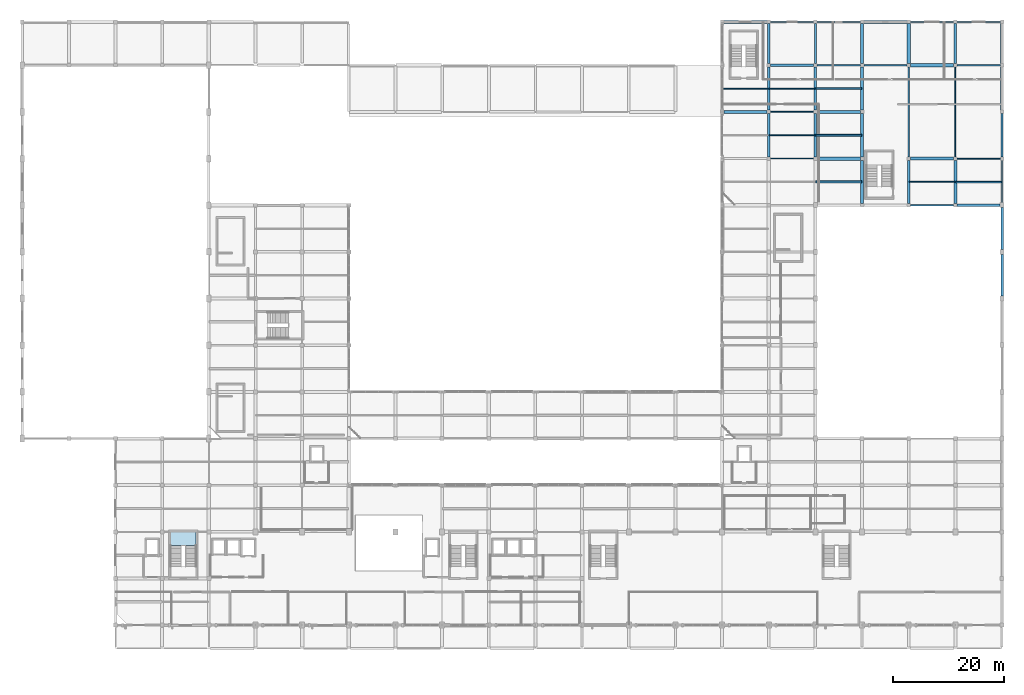
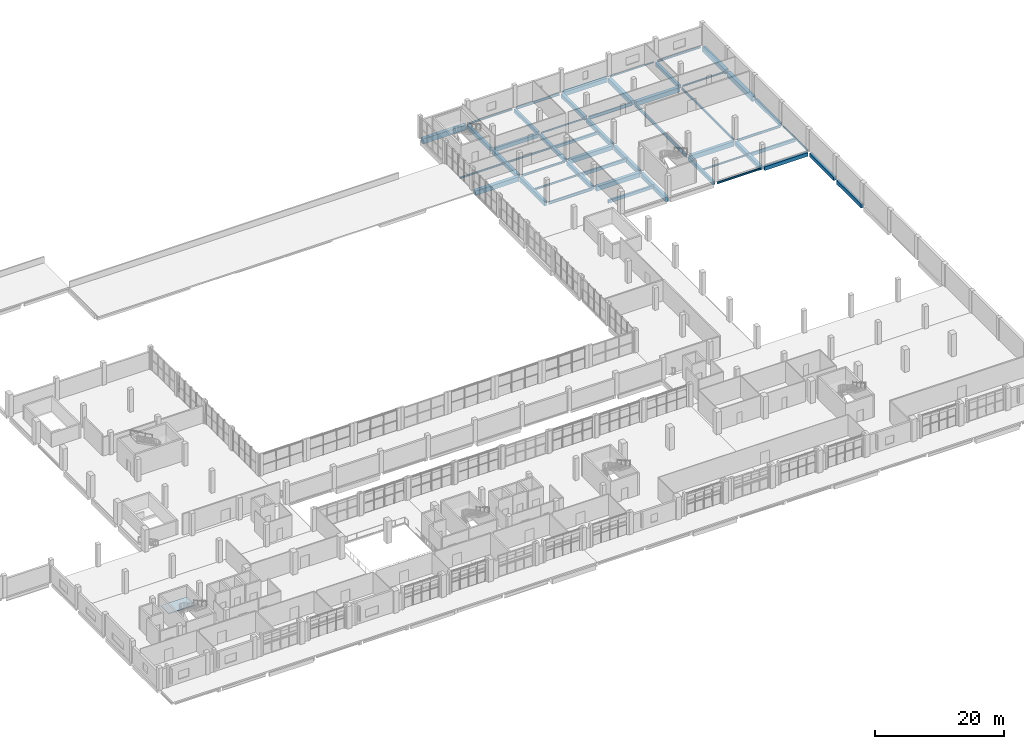
# One storey, part 39 of 59: 50 beams, 1 slab, 1 element without a shape of its own.
"""IFC4 building model written with IfcOpenShell, lengths in metres."""

from ifc_helpers import new_model, si_unit, derived_unit, direction, frame, origin, origin_2d, place, context, subcontext, project, spatial, polyline, rectangle, hollow_rectangle, i_section, outline, extrude, material, layer, layer_set, material_profile, profile_set, type_object, element, aggregate, save


model = new_model("IFC4")

# Units and contexts
model_context = context("Model", 3, precision=1e-05, world=origin(), true_north=direction((0.0, 1.0)))
body_context = subcontext(model_context, "Body", "Model", "MODEL_VIEW")
ifc_project = project(units=[si_unit("LENGTHUNIT", "METRE"), si_unit("AREAUNIT", "SQUARE_METRE"), si_unit("VOLUMEUNIT", "CUBIC_METRE"), si_unit("PLANEANGLEUNIT", "RADIAN"), si_unit("MASSUNIT", "GRAM", prefix="KILO"), derived_unit("THERMALTRANSMITTANCEUNIT", [(si_unit("POWERUNIT", "WATT"), 1), (si_unit("LENGTHUNIT", "METRE"), -2), (si_unit("THERMODYNAMICTEMPERATUREUNIT", "KELVIN"), -1)])], contexts=[model_context])

# Site, building, storey
site_placement = place(None, origin())
site = spatial("IfcSite", under=ifc_project, at=site_placement, CompositionType="ELEMENT")
building_placement = place(site_placement, origin())
building = spatial("IfcBuilding", under=site, at=building_placement, Name="Barrovel Congress Hotel", CompositionType="ELEMENT")
storey_placement = place(building_placement, frame((0.0, 0.0, 9.89990234375)))
storey = spatial("IfcBuildingStorey", under=building, at=storey_placement, Name="L02", CompositionType="ELEMENT", Elevation=9.89990234375)

# Beams
ifc_material_1 = material(Name="Concrete C40", Category="concrete")
ifc_material_profile_1 = material_profile(ifc_material_1, rectangle(XDim=0.300048828125, YDim=0.5, at=origin_2d()), Name="RC300x500")
ifc_profile_set_1 = profile_set([ifc_material_profile_1], Name="Concrete C40")
beam_type_1 = type_object("IfcBeamType", Name="BM-RC300x500", PredefinedType="JOIST", material=ifc_profile_set_1)
beam_1_placement = place(storey_placement, frame((142.8798828125, 100.800048828125, -0.510009765625), z_axis=(1.0, 0.0, 0.0), x_axis=(0.0, 1.0, 0.0)))
element("IfcBeam", 1, at=beam_1_placement, inside=storey, type_object=beam_type_1, Name="JST:L02:142.8:100.8", PredefinedType="JOIST", context=body_context, shape_type="SweptSolid", body=[
    extrude(rectangle(XDim=0.300048828125, YDim=0.5, at=origin_2d()), origin(), (0.0, 0.0, 1.0), 8.240234375),
])
ifc_material_profile_2 = material_profile(ifc_material_1, rectangle(XDim=0.300048828125, YDim=0.60009765625, at=origin_2d()), Name="RC300x600")
ifc_profile_set_2 = profile_set([ifc_material_profile_2], Name="Concrete C40")
beam_type_2 = type_object("IfcBeamType", Name="BM-RC300x600", PredefinedType="JOIST", material=ifc_profile_set_2)
beam_2_placement = place(storey_placement, frame((142.8798828125, 92.39990234375, -0.559814453125), z_axis=(1.0, 0.0, 0.0), x_axis=(0.0, 1.0, 0.0)))
element("IfcBeam", 2, at=beam_2_placement, inside=storey, type_object=beam_type_2, Name="JST:L02:142.8:92.4", PredefinedType="JOIST", context=body_context, shape_type="SweptSolid", body=[
    extrude(rectangle(XDim=0.300048828125, YDim=0.60009765625, at=origin_2d()), origin(), (0.0, 0.0, 1.0), 8.240234375),
])
beam_3_placement = place(storey_placement, frame((168.080078125, 84.0, -0.559814453125), z_axis=(1.0, 0.0, 0.0), x_axis=(0.0, 1.0, 0.0)))
element("IfcBeam", 3, at=beam_3_placement, inside=storey, type_object=beam_type_2, Name="JST:L02:168.0:84.0", PredefinedType="JOIST", context=body_context, shape_type="SweptSolid", body=[
    extrude(rectangle(XDim=0.300048828125, YDim=0.60009765625, at=origin_2d()), origin(), (0.0, 0.0, 1.0), 8.239990234375),
])
ifc_material_profile_3 = material_profile(ifc_material_1, rectangle(XDim=0.35009765625, YDim=0.550048828125, at=origin_2d()), Name="RC350x550")
ifc_profile_set_3 = profile_set([ifc_material_profile_3], Name="Concrete C40")
beam_type_3 = type_object("IfcBeamType", Name="BM-RC350x550", PredefinedType="JOIST", material=ifc_profile_set_3)
beam_4_placement = place(storey_placement, frame((142.8798828125, 84.0, -0.534912109375), z_axis=(1.0, 0.0, 0.0), x_axis=(0.0, 1.0, 0.0)))
element("IfcBeam", 4, at=beam_4_placement, inside=storey, type_object=beam_type_3, Name="JST:L02:142.8:84.0", PredefinedType="JOIST", context=body_context, shape_type="SweptSolid", body=[
    extrude(rectangle(XDim=0.35009765625, YDim=0.550048828125, at=origin_2d()), origin(), (0.0, 0.0, 1.0), 8.240234375),
])
ifc_material_profile_4 = material_profile(ifc_material_1, rectangle(XDim=0.39990234375, YDim=0.60009765625, at=origin_2d()), Name="RC400x600")
ifc_profile_set_4 = profile_set([ifc_material_profile_4], Name="Concrete C40")
beam_type_4 = type_object("IfcBeamType", Name="BM-RC400x600", PredefinedType="BEAM", material=ifc_profile_set_4)
for number, where, z_axis, x_axis, name in (
    (5, (159.60009765625, 80.125, -0.559814453125), (0.0, 1.0, 0.0), (-1.0, 0.0, 0.0), "BMY:L02:159.6:79.8-88.2"),
    (6, (176.39990234375, 88.52490234375, -0.559814453125), (0.0, 1.0, 0.0), (-1.0, 0.0, 0.0), "BMY:L02:176.4:88.2-96.6"),
):
    element("IfcBeam", number, at=place(storey_placement, frame(where, z_axis=z_axis, x_axis=x_axis)), inside=storey, type_object=beam_type_4, Name=name, PredefinedType="BEAM", context=body_context, shape_type="SweptSolid", body=[
        extrude(rectangle(XDim=0.39990234375, YDim=0.60009765625, at=origin_2d()), origin(), (0.0, 0.0, 1.0), 7.75),
    ])
ifc_material_profile_5 = material_profile(ifc_material_1, rectangle(XDim=0.39990234375, YDim=0.699951171875, at=origin_2d()), Name="RC400x700")
ifc_profile_set_5 = profile_set([ifc_material_profile_5], Name="Concrete C40")
beam_type_5 = type_object("IfcBeamType", Name="BM-RC400x700", PredefinedType="BEAM", material=ifc_profile_set_5)
beam_5_placement = place(storey_placement, frame((168.324951171875, 79.800048828125, -0.60986328125), z_axis=(1.0, 0.0, 0.0), x_axis=(0.0, 1.0, 0.0)))
element("IfcBeam", 7, at=beam_5_placement, inside=storey, type_object=beam_type_5, Name="BMX:L02:79.8:168.0-176.4", PredefinedType="BEAM", context=body_context, shape_type="SweptSolid", body=[
    extrude(rectangle(XDim=0.39990234375, YDim=0.699951171875, at=origin_2d()), origin(), (0.0, 0.0, 1.0), 7.72509765625),
])
beam_6_placement = place(storey_placement, frame((134.72509765625, 105.0, -0.60986328125), z_axis=(1.0, 0.0, 0.0), x_axis=(0.0, 1.0, 0.0)))
element("IfcBeam", 8, at=beam_6_placement, inside=storey, type_object=beam_type_5, Name="BMX:L02:105.0:134.4-142.8", PredefinedType="BEAM", context=body_context, shape_type="SweptSolid", body=[
    extrude(rectangle(XDim=0.39990234375, YDim=0.699951171875, at=origin_2d()), origin(), (0.0, 0.0, 1.0), 7.75),
])
beam_7_placement = place(storey_placement, frame((142.800048828125, 105.324951171875, -0.60986328125), z_axis=(0.0, 1.0, 0.0), x_axis=(-1.0, 0.0, 0.0)))
element("IfcBeam", 9, at=beam_7_placement, inside=storey, type_object=beam_type_5, Name="BMY:L02:142.8:105.0-112.8", PredefinedType="BEAM", context=body_context, shape_type="SweptSolid", body=[
    extrude(rectangle(XDim=0.39990234375, YDim=0.699951171875, at=origin_2d()), origin(), (0.0, 0.0, 1.0), 7.150146484375),
])
ifc_material_profile_6 = material_profile(ifc_material_1, rectangle(XDim=0.449951171875, YDim=0.64990234375, at=origin_2d()), Name="RC450x650")
ifc_profile_set_6 = profile_set([ifc_material_profile_6], Name="Concrete C40")
beam_type_6 = type_object("IfcBeamType", Name="BM-RC450x650", PredefinedType="BEAM", material=ifc_profile_set_6)
beam_8_placement = place(storey_placement, frame((142.800048828125, 96.925048828125, -0.5849609375), z_axis=(0.0, 1.0, 0.0), x_axis=(-1.0, 0.0, 0.0)))
element("IfcBeam", 10, at=beam_8_placement, inside=storey, type_object=beam_type_6, Name="BMY:L02:142.8:96.6-105.0", PredefinedType="BEAM", context=body_context, shape_type="SweptSolid", body=[
    extrude(rectangle(XDim=0.449951171875, YDim=0.64990234375, at=origin_2d()), origin(), (0.0, 0.0, 1.0), 7.75),
])
beam_9_placement = place(storey_placement, frame((168.0, 105.324951171875, -0.5849609375), z_axis=(0.0, 1.0, 0.0), x_axis=(-1.0, 0.0, 0.0)))
element("IfcBeam", 11, at=beam_9_placement, inside=storey, type_object=beam_type_6, Name="BMY:L02:168.0:105.0-112.8", PredefinedType="BEAM", context=body_context, shape_type="SweptSolid", body=[
    extrude(rectangle(XDim=0.449951171875, YDim=0.64990234375, at=origin_2d()), origin(), (0.0, 0.0, 1.0), 7.150146484375),
])
beam_10_placement = place(storey_placement, frame((176.39990234375, 71.85009765625, -0.5849609375), z_axis=(0.0, 1.0, 0.0), x_axis=(-1.0, 0.0, 0.0)))
element("IfcBeam", 12, at=beam_10_placement, inside=storey, type_object=beam_type_6, Name="BMY:L02:176.4:71.4-79.8", PredefinedType="BEAM", context=body_context, shape_type="SweptSolid", body=[
    extrude(rectangle(XDim=0.449951171875, YDim=0.64990234375, at=origin_2d()), origin(), (0.0, 0.0, 1.0), 7.5),
])
ifc_material_profile_7 = material_profile(ifc_material_1, rectangle(XDim=0.449951171875, YDim=0.75, at=origin_2d()), Name="RC450x750")
ifc_profile_set_7 = profile_set([ifc_material_profile_7], Name="Concrete C40")
beam_type_7 = type_object("IfcBeamType", Name="BM-RC450x750", PredefinedType="BEAM", material=ifc_profile_set_7)
beam_11_placement = place(storey_placement, frame((134.39990234375, 105.324951171875, -0.635009765625), z_axis=(0.0, 1.0, 0.0), x_axis=(-1.0, 0.0, 0.0)))
element("IfcBeam", 13, at=beam_11_placement, inside=storey, type_object=beam_type_7, Name="BMY:L02:134.4:105.0-112.8", PredefinedType="BEAM", context=body_context, shape_type="SweptSolid", body=[
    extrude(rectangle(XDim=0.449951171875, YDim=0.75, at=origin_2d()), origin(), (0.0, 0.0, 1.0), 7.150146484375),
])
beam_12_placement = place(storey_placement, frame((142.800048828125, 88.52490234375, -0.635009765625), z_axis=(0.0, 1.0, 0.0), x_axis=(-1.0, 0.0, 0.0)))
element("IfcBeam", 14, at=beam_12_placement, inside=storey, type_object=beam_type_7, Name="BMY:L02:142.8:88.2-96.6", PredefinedType="BEAM", context=body_context, shape_type="SweptSolid", body=[
    extrude(rectangle(XDim=0.449951171875, YDim=0.75, at=origin_2d()), origin(), (0.0, 0.0, 1.0), 7.75),
])
beam_13_placement = place(storey_placement, frame((176.39990234375, 63.449951171875, -0.635009765625), z_axis=(0.0, 1.0, 0.0), x_axis=(-1.0, 0.0, 0.0)))
element("IfcBeam", 15, at=beam_13_placement, inside=storey, type_object=beam_type_7, Name="BMY:L02:176.4:63.0-71.4", PredefinedType="BEAM", context=body_context, shape_type="SweptSolid", body=[
    extrude(rectangle(XDim=0.449951171875, YDim=0.75, at=origin_2d()), origin(), (0.0, 0.0, 1.0), 7.5),
])
ifc_material_profile_8 = material_profile(ifc_material_1, rectangle(XDim=0.5, YDim=0.75, at=origin_2d()), Name="RC500x750")
ifc_profile_set_8 = profile_set([ifc_material_profile_8], Name="Concrete C40")
beam_type_8 = type_object("IfcBeamType", Name="BM-RC500x750", PredefinedType="BEAM", material=ifc_profile_set_8)
beam_14_placement = place(storey_placement, frame((134.39990234375, 96.925048828125, -0.635009765625), z_axis=(0.0, 1.0, 0.0), x_axis=(-1.0, 0.0, 0.0)))
element("IfcBeam", 16, at=beam_14_placement, inside=storey, type_object=beam_type_8, Name="BMY:L02:134.4:96.6-105.0", PredefinedType="BEAM", context=body_context, shape_type="SweptSolid", body=[
    extrude(rectangle(XDim=0.5, YDim=0.75, at=origin_2d()), origin(), (0.0, 0.0, 1.0), 7.75),
])
beam_15_placement = place(storey_placement, frame((151.199951171875, 105.324951171875, -0.635009765625), z_axis=(0.0, 1.0, 0.0), x_axis=(-1.0, 0.0, 0.0)))
element("IfcBeam", 17, at=beam_15_placement, inside=storey, type_object=beam_type_8, Name="BMY:L02:151.2:105.0-112.8", PredefinedType="BEAM", context=body_context, shape_type="SweptSolid", body=[
    extrude(rectangle(XDim=0.5, YDim=0.75, at=origin_2d()), origin(), (0.0, 0.0, 1.0), 7.150146484375),
])
beam_16_placement = place(storey_placement, frame((168.0, 80.125, -0.635009765625), z_axis=(0.0, 1.0, 0.0), x_axis=(-1.0, 0.0, 0.0)))
element("IfcBeam", 18, at=beam_16_placement, inside=storey, type_object=beam_type_8, Name="BMY:L02:168.0:79.8-88.2", PredefinedType="BEAM", context=body_context, shape_type="SweptSolid", body=[
    extrude(rectangle(XDim=0.5, YDim=0.75, at=origin_2d()), origin(), (0.0, 0.0, 1.0), 7.75),
])
ifc_material_profile_9 = material_profile(ifc_material_1, rectangle(XDim=0.5, YDim=0.85009765625, at=origin_2d()), Name="RC500x850")
ifc_profile_set_9 = profile_set([ifc_material_profile_9], Name="Concrete C40")
beam_type_9 = type_object("IfcBeamType", Name="BM-RC500x850", PredefinedType="BEAM", material=ifc_profile_set_9)
for number, where, z_axis, x_axis, name in (
    (19, (134.39990234375, 88.52490234375, -0.684814453125), (0.0, 1.0, 0.0), (-1.0, 0.0, 0.0), "BMY:L02:134.4:88.2-96.6"),
    (20, (151.199951171875, 96.925048828125, -0.684814453125), (0.0, 1.0, 0.0), (-1.0, 0.0, 0.0), "BMY:L02:151.2:96.6-105.0"),
):
    element("IfcBeam", number, at=place(storey_placement, frame(where, z_axis=z_axis, x_axis=x_axis)), inside=storey, type_object=beam_type_9, Name=name, PredefinedType="BEAM", context=body_context, shape_type="SweptSolid", body=[
        extrude(rectangle(XDim=0.5, YDim=0.85009765625, at=origin_2d()), origin(), (0.0, 0.0, 1.0), 7.75),
    ])
ifc_material_profile_10 = material_profile(ifc_material_1, rectangle(XDim=0.550048828125, YDim=0.800048828125, at=origin_2d()), Name="RC550x800")
ifc_profile_set_10 = profile_set([ifc_material_profile_10], Name="Concrete C40")
beam_type_10 = type_object("IfcBeamType", Name="BM-RC550x800", PredefinedType="BEAM", material=ifc_profile_set_10)
for number, where, z_axis, x_axis, name in (
    (21, (143.125, 96.60009765625, -0.659912109375), (1.0, 0.0, 0.0), (0.0, 1.0, 0.0), "BMX:L02:96.6:142.8-151.2"),
    (22, (151.52490234375, 112.800048828125, -0.659912109375), (1.0, 0.0, 0.0), (0.0, 1.0, 0.0), "BMX:L02:112.8:151.2-159.6"),
    (23, (151.199951171875, 88.52490234375, -0.659912109375), (0.0, 1.0, 0.0), (-1.0, 0.0, 0.0), "BMY:L02:151.2:88.2-96.6"),
):
    element("IfcBeam", number, at=place(storey_placement, frame(where, z_axis=z_axis, x_axis=x_axis)), inside=storey, type_object=beam_type_10, Name=name, PredefinedType="BEAM", context=body_context, shape_type="SweptSolid", body=[
        extrude(rectangle(XDim=0.550048828125, YDim=0.800048828125, at=origin_2d()), origin(), (0.0, 0.0, 1.0), 7.75),
    ])
ifc_material_profile_11 = material_profile(ifc_material_1, rectangle(XDim=0.550048828125, YDim=0.89990234375, at=origin_2d()), Name="RC550x900")
ifc_profile_set_11 = profile_set([ifc_material_profile_11], Name="Concrete C40")
beam_type_11 = type_object("IfcBeamType", Name="BM-RC550x900", PredefinedType="BEAM", material=ifc_profile_set_11)
for number, where, z_axis, x_axis, name in (
    (24, (159.925048828125, 88.199951171875, -0.7099609375), (1.0, 0.0, 0.0), (0.0, 1.0, 0.0), "BMX:L02:88.2:159.6-168.0"),
    (25, (151.199951171875, 80.125, -0.7099609375), (0.0, 1.0, 0.0), (-1.0, 0.0, 0.0), "BMY:L02:151.2:79.8-88.2"),
):
    element("IfcBeam", number, at=place(storey_placement, frame(where, z_axis=z_axis, x_axis=x_axis)), inside=storey, type_object=beam_type_11, Name=name, PredefinedType="BEAM", context=body_context, shape_type="SweptSolid", body=[
        extrude(rectangle(XDim=0.550048828125, YDim=0.89990234375, at=origin_2d()), origin(), (0.0, 0.0, 1.0), 7.75),
    ])
ifc_material_profile_12 = material_profile(ifc_material_1, rectangle(XDim=0.60009765625, YDim=0.85009765625, at=origin_2d()), Name="RC600x850")
ifc_profile_set_12 = profile_set([ifc_material_profile_12], Name="Concrete C40")
beam_type_12 = type_object("IfcBeamType", Name="BM-RC600x850", PredefinedType="BEAM", material=ifc_profile_set_12)
for number, where, z_axis, x_axis, name in (
    (26, (143.125, 88.199951171875, -0.684814453125), (1.0, 0.0, 0.0), (0.0, 1.0, 0.0), "BMX:L02:88.2:142.8-151.2"),
    (27, (126.324951171875, 96.60009765625, -0.684814453125), (1.0, 0.0, 0.0), (0.0, 1.0, 0.0), "BMX:L02:96.6:126.0-134.4"),
    (28, (159.925048828125, 105.0, -0.684814453125), (1.0, 0.0, 0.0), (0.0, 1.0, 0.0), "BMX:L02:105.0:159.6-168.0"),
):
    element("IfcBeam", number, at=place(storey_placement, frame(where, z_axis=z_axis, x_axis=x_axis)), inside=storey, type_object=beam_type_12, Name=name, PredefinedType="BEAM", context=body_context, shape_type="SweptSolid", body=[
        extrude(rectangle(XDim=0.60009765625, YDim=0.85009765625, at=origin_2d()), origin(), (0.0, 0.0, 1.0), 7.75),
    ])
for number, where, z_axis, x_axis, name in (
    (29, (159.60009765625, 105.324951171875, -0.684814453125), (0.0, 1.0, 0.0), (-1.0, 0.0, 0.0), "BMY:L02:159.6:105.0-112.8"),
    (30, (176.39990234375, 105.324951171875, -0.684814453125), (0.0, 1.0, 0.0), (-1.0, 0.0, 0.0), "BMY:L02:176.4:105.0-112.8"),
):
    element("IfcBeam", number, at=place(storey_placement, frame(where, z_axis=z_axis, x_axis=x_axis)), inside=storey, type_object=beam_type_12, Name=name, PredefinedType="BEAM", context=body_context, shape_type="SweptSolid", body=[
        extrude(rectangle(XDim=0.60009765625, YDim=0.85009765625, at=origin_2d()), origin(), (0.0, 0.0, 1.0), 7.150146484375),
    ])
ifc_material_profile_13 = material_profile(ifc_material_1, rectangle(XDim=0.60009765625, YDim=0.949951171875, at=origin_2d()), Name="RC600x950")
ifc_profile_set_13 = profile_set([ifc_material_profile_13], Name="Concrete C40")
beam_type_13 = type_object("IfcBeamType", Name="BM-RC600x950", PredefinedType="BEAM", material=ifc_profile_set_13)
for number, where, z_axis, x_axis, name in (
    (31, (126.324951171875, 112.800048828125, -0.73486328125), (1.0, 0.0, 0.0), (0.0, 1.0, 0.0), "BMX:L02:112.8:126.0-134.4"),
    (32, (176.39990234375, 96.925048828125, -0.73486328125), (0.0, 1.0, 0.0), (-1.0, 0.0, 0.0), "BMY:L02:176.4:96.6-105.0"),
):
    element("IfcBeam", number, at=place(storey_placement, frame(where, z_axis=z_axis, x_axis=x_axis)), inside=storey, type_object=beam_type_13, Name=name, PredefinedType="BEAM", context=body_context, shape_type="SweptSolid", body=[
        extrude(rectangle(XDim=0.60009765625, YDim=0.949951171875, at=origin_2d()), origin(), (0.0, 0.0, 1.0), 7.75),
    ])
ifc_material_2 = material(Name="Steel ASTM A500 Grade C", Category="steel")
ifc_material_profile_14 = material_profile(ifc_material_2, hollow_rectangle(XDim=0.15234375, YDim=0.25390625, WallThickness=0.0087890625, InnerFilletRadius=0.0087890625, OuterFilletRadius=0.017578125, at=origin_2d()), Name="HSS254x152x9.5")
ifc_profile_set_14 = profile_set([ifc_material_profile_14], Name="Steel ASTM A500 Grade C")
beam_type_14 = type_object("IfcBeamType", Name="SBM-HSS254x152x9.5", PredefinedType="SPANDREL", material=ifc_profile_set_14)
for number, where, z_axis, x_axis, name in (
    (33, (143.125, 105.0, -0.386962890625), (1.0, 0.0, 0.0), (0.0, 1.0, 0.0), "BMX:L02:105.0:142.8-151.2"),
    (34, (159.925048828125, 112.800048828125, -0.386962890625), (1.0, 0.0, 0.0), (0.0, 1.0, 0.0), "BMX:L02:112.8:159.6-168.0"),
):
    element("IfcBeam", number, at=place(storey_placement, frame(where, z_axis=z_axis, x_axis=x_axis)), inside=storey, type_object=beam_type_14, Name=name, PredefinedType="SPANDREL", context=body_context, shape_type="SweptSolid", body=[
        extrude(hollow_rectangle(XDim=0.15234375, YDim=0.25390625, WallThickness=0.0087890625, InnerFilletRadius=0.0087890625, OuterFilletRadius=0.017578125, at=origin_2d()), origin(), (0.0, 0.0, 1.0), 7.75),
    ])
ifc_material_profile_15 = material_profile(ifc_material_2, hollow_rectangle(XDim=0.203125, YDim=0.3046875, WallThickness=0.01171875, InnerFilletRadius=0.01171875, OuterFilletRadius=0.023681640625, at=origin_2d()), Name="HSS305x203x12.7")
ifc_profile_set_15 = profile_set([ifc_material_profile_15], Name="Steel ASTM A500 Grade C")
beam_type_15 = type_object("IfcBeamType", Name="SBM-HSS305x203x12.7", PredefinedType="SPANDREL", material=ifc_profile_set_15)
beam_17_placement = place(storey_placement, frame((176.39990234375, 80.25, -0.412353515625), z_axis=(0.0, 1.0, 0.0), x_axis=(-1.0, 0.0, 0.0)))
element("IfcBeam", 35, at=beam_17_placement, inside=storey, type_object=beam_type_15, Name="BMY:L02:176.4:79.8-88.2", PredefinedType="SPANDREL", context=body_context, shape_type="SweptSolid", body=[
    extrude(hollow_rectangle(XDim=0.203125, YDim=0.3046875, WallThickness=0.01171875, InnerFilletRadius=0.01171875, OuterFilletRadius=0.023681640625, at=origin_2d()), origin(), (0.0, 0.0, 1.0), 7.625),
])
ifc_material_3 = material(Name="Steel ASTM A992 Grade 50", Category="steel")
ifc_material_profile_16 = material_profile(ifc_material_3, i_section(OverallWidth=0.201904296875, OverallDepth=0.2470703125, WebThickness=0.00732421875, FlangeThickness=0.010986328125, FilletRadius=0.011962890625, at=origin_2d()), Name="W250x49")
ifc_profile_set_16 = profile_set([ifc_material_profile_16], Name="Steel ASTM A992 Grade 50")
beam_type_16 = type_object("IfcBeamType", Name="SBM-W250x49", PredefinedType="SPANDREL", material=ifc_profile_set_16)
beam_18_placement = place(storey_placement, frame((168.324951171875, 105.0, -0.38330078125), z_axis=(1.0, 0.0, 0.0), x_axis=(0.0, 1.0, 0.0)))
element("IfcBeam", 36, at=beam_18_placement, inside=storey, type_object=beam_type_16, Name="BMX:L02:105.0:168.0-176.4", PredefinedType="SPANDREL", context=body_context, shape_type="SweptSolid", body=[
    extrude(i_section(OverallWidth=0.201904296875, OverallDepth=0.2470703125, WebThickness=0.00732421875, FlangeThickness=0.010986328125, FilletRadius=0.011962890625, at=origin_2d()), origin(), (0.0, 0.0, 1.0), 7.75),
])
ifc_material_profile_17 = material_profile(ifc_material_3, i_section(OverallWidth=0.1650390625, OverallDepth=0.31005859375, WebThickness=0.005859375, FlangeThickness=0.009765625, FilletRadius=0.010986328125, at=origin_2d()), Name="W310x39")
ifc_profile_set_17 = profile_set([ifc_material_profile_17], Name="Steel ASTM A992 Grade 50")
beam_type_17 = type_object("IfcBeamType", Name="SBM-W310x39", PredefinedType="JOIST", material=ifc_profile_set_17)
beam_19_placement = place(storey_placement, frame((159.679931640625, 84.0, -0.414794921875), z_axis=(1.0, 0.0, 0.0), x_axis=(0.0, 1.0, 0.0)))
element("IfcBeam", 37, at=beam_19_placement, inside=storey, type_object=beam_type_17, Name="JST:L02:159.6:84.0", PredefinedType="JOIST", context=body_context, shape_type="SweptSolid", body=[
    extrude(i_section(OverallWidth=0.1650390625, OverallDepth=0.31005859375, WebThickness=0.005859375, FlangeThickness=0.009765625, FilletRadius=0.010986328125, at=origin_2d()), origin(), (0.0, 0.0, 1.0), 8.239990234375),
])
ifc_material_profile_18 = material_profile(ifc_material_3, i_section(OverallWidth=0.1669921875, OverallDepth=0.31689453125, WebThickness=0.007568359375, FlangeThickness=0.01318359375, FilletRadius=0.010986328125, at=origin_2d()), Name="W310x52")
ifc_profile_set_18 = profile_set([ifc_material_profile_18], Name="Steel ASTM A992 Grade 50")
beam_type_18 = type_object("IfcBeamType", Name="SBM-W310x52", PredefinedType="JOIST", material=ifc_profile_set_18)
for number, where, z_axis, x_axis, name in (
    (38, (126.080078125, 100.800048828125, -0.41845703125), (1.0, 0.0, 0.0), (0.0, 1.0, 0.0), "JST:L02:126.0:100.8"),
    (39, (134.47998046875, 100.800048828125, -0.41845703125), (1.0, 0.0, 0.0), (0.0, 1.0, 0.0), "JST:L02:134.4:100.8"),
):
    element("IfcBeam", number, at=place(storey_placement, frame(where, z_axis=z_axis, x_axis=x_axis)), inside=storey, type_object=beam_type_18, Name=name, PredefinedType="JOIST", context=body_context, shape_type="SweptSolid", body=[
        extrude(i_section(OverallWidth=0.1669921875, OverallDepth=0.31689453125, WebThickness=0.007568359375, FlangeThickness=0.01318359375, FilletRadius=0.010986328125, at=origin_2d()), origin(), (0.0, 0.0, 1.0), 8.239990234375),
    ])
ifc_material_profile_19 = material_profile(ifc_material_3, i_section(OverallWidth=0.205078125, OverallDepth=0.31005859375, WebThickness=0.009521484375, FlangeThickness=0.016357421875, FilletRadius=0.012939453125, at=origin_2d()), Name="W310x74")
ifc_profile_set_19 = profile_set([ifc_material_profile_19], Name="Steel ASTM A992 Grade 50")
beam_type_19 = type_object("IfcBeamType", Name="SBM-W310x74", PredefinedType="SPANDREL", material=ifc_profile_set_19)
beam_20_placement = place(storey_placement, frame((134.72509765625, 112.800048828125, -0.414794921875), z_axis=(1.0, 0.0, 0.0), x_axis=(0.0, 1.0, 0.0)))
element("IfcBeam", 40, at=beam_20_placement, inside=storey, type_object=beam_type_19, Name="BMX:L02:112.8:134.4-142.8", PredefinedType="SPANDREL", context=body_context, shape_type="SweptSolid", body=[
    extrude(i_section(OverallWidth=0.205078125, OverallDepth=0.31005859375, WebThickness=0.009521484375, FlangeThickness=0.016357421875, FilletRadius=0.012939453125, at=origin_2d()), origin(), (0.0, 0.0, 1.0), 7.75),
])
ifc_material_profile_20 = material_profile(ifc_material_3, i_section(OverallWidth=0.1708984375, OverallDepth=0.35205078125, WebThickness=0.0068359375, FlangeThickness=0.009765625, FilletRadius=0.011962890625, at=origin_2d()), Name="W360x44")
ifc_profile_set_20 = profile_set([ifc_material_profile_20], Name="Steel ASTM A992 Grade 50")
beam_type_20 = type_object("IfcBeamType", Name="SBM-W360x44", PredefinedType="JOIST", material=ifc_profile_set_20)
beam_21_placement = place(storey_placement, frame((134.47998046875, 92.39990234375, -0.435791015625), z_axis=(1.0, 0.0, 0.0), x_axis=(0.0, 1.0, 0.0)))
element("IfcBeam", 41, at=beam_21_placement, inside=storey, type_object=beam_type_20, Name="JST:L02:134.4:92.4", PredefinedType="JOIST", context=body_context, shape_type="SweptSolid", body=[
    extrude(i_section(OverallWidth=0.1708984375, OverallDepth=0.35205078125, WebThickness=0.0068359375, FlangeThickness=0.009765625, FilletRadius=0.011962890625, at=origin_2d()), origin(), (0.0, 0.0, 1.0), 8.239990234375),
])
ifc_material_profile_21 = material_profile(ifc_material_3, i_section(OverallWidth=0.205078125, OverallDepth=0.35400390625, WebThickness=0.009521484375, FlangeThickness=0.016845703125, FilletRadius=0.012939453125, at=origin_2d()), Name="W360x79")
ifc_profile_set_21 = profile_set([ifc_material_profile_21], Name="Steel ASTM A992 Grade 50")
beam_type_21 = type_object("IfcBeamType", Name="SBM-W360x79", PredefinedType="BEAM", material=ifc_profile_set_21)
for number, where, z_axis, x_axis, name in (
    (42, (159.925048828125, 79.800048828125, -0.43701171875), (1.0, 0.0, 0.0), (0.0, 1.0, 0.0), "BMX:L02:79.8:159.6-168.0"),
    (43, (168.324951171875, 112.800048828125, -0.43701171875), (1.0, 0.0, 0.0), (0.0, 1.0, 0.0), "BMX:L02:112.8:168.0-176.4"),
):
    element("IfcBeam", number, at=place(storey_placement, frame(where, z_axis=z_axis, x_axis=x_axis)), inside=storey, type_object=beam_type_21, Name=name, PredefinedType="BEAM", context=body_context, shape_type="SweptSolid", body=[
        extrude(i_section(OverallWidth=0.205078125, OverallDepth=0.35400390625, WebThickness=0.009521484375, FlangeThickness=0.016845703125, FilletRadius=0.012939453125, at=origin_2d()), origin(), (0.0, 0.0, 1.0), 7.75),
    ])
ifc_material_profile_22 = material_profile(ifc_material_3, i_section(OverallWidth=0.178955078125, OverallDepth=0.409912109375, WebThickness=0.0087890625, FlangeThickness=0.014404296875, FilletRadius=0.011962890625, at=origin_2d()), Name="W410x67")
ifc_profile_set_22 = profile_set([ifc_material_profile_22], Name="Steel ASTM A992 Grade 50")
beam_type_22 = type_object("IfcBeamType", Name="SBM-W410x67", PredefinedType="BEAM", material=ifc_profile_set_22)
beam_22_placement = place(storey_placement, frame((134.72509765625, 96.60009765625, -0.46484375), z_axis=(1.0, 0.0, 0.0), x_axis=(0.0, 1.0, 0.0)))
element("IfcBeam", 44, at=beam_22_placement, inside=storey, type_object=beam_type_22, Name="BMX:L02:96.6:134.4-142.8", PredefinedType="BEAM", context=body_context, shape_type="SweptSolid", body=[
    extrude(i_section(OverallWidth=0.178955078125, OverallDepth=0.409912109375, WebThickness=0.0087890625, FlangeThickness=0.014404296875, FilletRadius=0.011962890625, at=origin_2d()), origin(), (0.0, 0.0, 1.0), 7.75),
])
beam_23_placement = place(storey_placement, frame((168.0, 88.52490234375, -0.46484375), z_axis=(0.0, 1.0, 0.0), x_axis=(-1.0, 0.0, 0.0)))
element("IfcBeam", 45, at=beam_23_placement, inside=storey, type_object=beam_type_22, Name="BMY:L02:168.0:88.2-105.0", PredefinedType="BEAM", context=body_context, shape_type="SweptSolid", body=[
    extrude(i_section(OverallWidth=0.178955078125, OverallDepth=0.409912109375, WebThickness=0.0087890625, FlangeThickness=0.014404296875, FilletRadius=0.011962890625, at=origin_2d()), origin(), (0.0, 0.0, 1.0), 16.150146484375),
])
ifc_material_profile_23 = material_profile(ifc_material_3, i_section(OverallWidth=0.154052734375, OverallDepth=0.458984375, WebThickness=0.009033203125, FlangeThickness=0.015380859375, FilletRadius=0.012939453125, at=origin_2d()), Name="W460x68")
ifc_profile_set_23 = profile_set([ifc_material_profile_23], Name="Steel ASTM A992 Grade 50")
beam_type_23 = type_object("IfcBeamType", Name="SBM-W460x68", PredefinedType="BEAM", material=ifc_profile_set_23)
beam_24_placement = place(storey_placement, frame((168.324951171875, 88.199951171875, -0.489501953125), z_axis=(1.0, 0.0, 0.0), x_axis=(0.0, 1.0, 0.0)))
element("IfcBeam", 46, at=beam_24_placement, inside=storey, type_object=beam_type_23, Name="BMX:L02:88.2:168.0-176.4", PredefinedType="BEAM", context=body_context, shape_type="SweptSolid", body=[
    extrude(i_section(OverallWidth=0.154052734375, OverallDepth=0.458984375, WebThickness=0.009033203125, FlangeThickness=0.015380859375, FilletRadius=0.012939453125, at=origin_2d()), origin(), (0.0, 0.0, 1.0), 7.75),
])
ifc_material_profile_24 = material_profile(ifc_material_3, i_section(OverallWidth=0.19091796875, OverallDepth=0.4599609375, WebThickness=0.010009765625, FlangeThickness=0.01611328125, FilletRadius=0.012939453125, at=origin_2d()), Name="W460x82")
ifc_profile_set_24 = profile_set([ifc_material_profile_24], Name="Steel ASTM A992 Grade 50")
beam_type_24 = type_object("IfcBeamType", Name="SBM-W460x82", PredefinedType="BEAM", material=ifc_profile_set_24)
beam_25_placement = place(storey_placement, frame((143.125, 112.800048828125, -0.489990234375), z_axis=(1.0, 0.0, 0.0), x_axis=(0.0, 1.0, 0.0)))
element("IfcBeam", 47, at=beam_25_placement, inside=storey, type_object=beam_type_24, Name="BMX:L02:112.8:142.8-151.2", PredefinedType="BEAM", context=body_context, shape_type="SweptSolid", body=[
    extrude(i_section(OverallWidth=0.19091796875, OverallDepth=0.4599609375, WebThickness=0.010009765625, FlangeThickness=0.01611328125, FilletRadius=0.012939453125, at=origin_2d()), origin(), (0.0, 0.0, 1.0), 7.75),
])
ifc_material_profile_25 = material_profile(ifc_material_3, i_section(OverallWidth=0.208984375, OverallDepth=0.532958984375, WebThickness=0.01025390625, FlangeThickness=0.015625, FilletRadius=0.013916015625, at=origin_2d()), Name="W530x92")
ifc_profile_set_25 = profile_set([ifc_material_profile_25], Name="Steel ASTM A992 Grade 50")
beam_type_25 = type_object("IfcBeamType", Name="SBM-W530x92", PredefinedType="BEAM", material=ifc_profile_set_25)
beam_26_placement = place(storey_placement, frame((134.72509765625, 88.199951171875, -0.5263671875), z_axis=(1.0, 0.0, 0.0), x_axis=(0.0, 1.0, 0.0)))
element("IfcBeam", 48, at=beam_26_placement, inside=storey, type_object=beam_type_25, Name="BMX:L02:88.2:134.4-142.8", PredefinedType="BEAM", context=body_context, shape_type="SweptSolid", body=[
    extrude(i_section(OverallWidth=0.208984375, OverallDepth=0.532958984375, WebThickness=0.01025390625, FlangeThickness=0.015625, FilletRadius=0.013916015625, at=origin_2d()), origin(), (0.0, 0.0, 1.0), 7.75),
])
ifc_material_profile_26 = material_profile(ifc_material_3, i_section(OverallWidth=0.22802734375, OverallDepth=0.60302734375, WebThickness=0.010498046875, FlangeThickness=0.014892578125, FilletRadius=0.014892578125, at=origin_2d()), Name="W610x101")
ifc_profile_set_26 = profile_set([ifc_material_profile_26], Name="Steel ASTM A992 Grade 50")
beam_type_26 = type_object("IfcBeamType", Name="SBM-W610x101", PredefinedType="BEAM", material=ifc_profile_set_26)
beam_27_placement = place(storey_placement, frame((151.52490234375, 105.0, -0.5615234375), z_axis=(1.0, 0.0, 0.0), x_axis=(0.0, 1.0, 0.0)))
element("IfcBeam", 49, at=beam_27_placement, inside=storey, type_object=beam_type_26, Name="BMX:L02:105.0:151.2-159.6", PredefinedType="BEAM", context=body_context, shape_type="SweptSolid", body=[
    extrude(i_section(OverallWidth=0.22802734375, OverallDepth=0.60302734375, WebThickness=0.010498046875, FlangeThickness=0.014892578125, FilletRadius=0.014892578125, at=origin_2d()), origin(), (0.0, 0.0, 1.0), 7.75),
])
beam_28_placement = place(storey_placement, frame((159.60009765625, 88.52490234375, -0.5615234375), z_axis=(0.0, 1.0, 0.0), x_axis=(-1.0, 0.0, 0.0)))
element("IfcBeam", 50, at=beam_28_placement, inside=storey, type_object=beam_type_26, Name="BMY:L02:159.6:88.2-105.0", PredefinedType="BEAM", context=body_context, shape_type="SweptSolid", body=[
    extrude(i_section(OverallWidth=0.22802734375, OverallDepth=0.60302734375, WebThickness=0.010498046875, FlangeThickness=0.014892578125, FilletRadius=0.014892578125, at=origin_2d()), origin(), (0.0, 0.0, 1.0), 16.150146484375),
])

# Stair, slab
stair_type = type_object("IfcStairType", Name="STR-HT-420", PredefinedType="HALF_TURN_STAIR", material=ifc_material_1)
stair_placement = place(storey_placement, origin())
stair = element("IfcStair", 51, at=stair_placement, inside=storey, type_object=stair_type, Name="Exit Stair XS-01 (L02)", PredefinedType="HALF_TURN_STAIR")
ifc_layer = layer(ifc_material_1, 0.18994140625)
ifc_layer_set = layer_set([ifc_layer], Name="Concrete C40")
slab_type = type_object("IfcSlabType", Name="SL-LDG-190", PredefinedType="LANDING", material=ifc_layer_set)
slab_placement = place(storey_placement, frame((0.0, 0.0, 1.91015625)))
slab = element("IfcSlab", 52, at=slab_placement, type_object=slab_type, Name="STAIR:XS-01:L02:LDG", PredefinedType="LANDING", context=body_context, shape_type="SweptSolid", body=[
    extrude(outline(polyline([(26.679931640625, 18.544921875), (31.320068359375, 18.544921875), (31.320068359375, 21.02001953125), (26.679931640625, 21.02001953125), (26.679931640625, 18.544921875)])), origin(), (0.0, 0.0, 1.0), 0.18994140625),
])
aggregate(stair, [slab])

save(model, "model.ifc")
